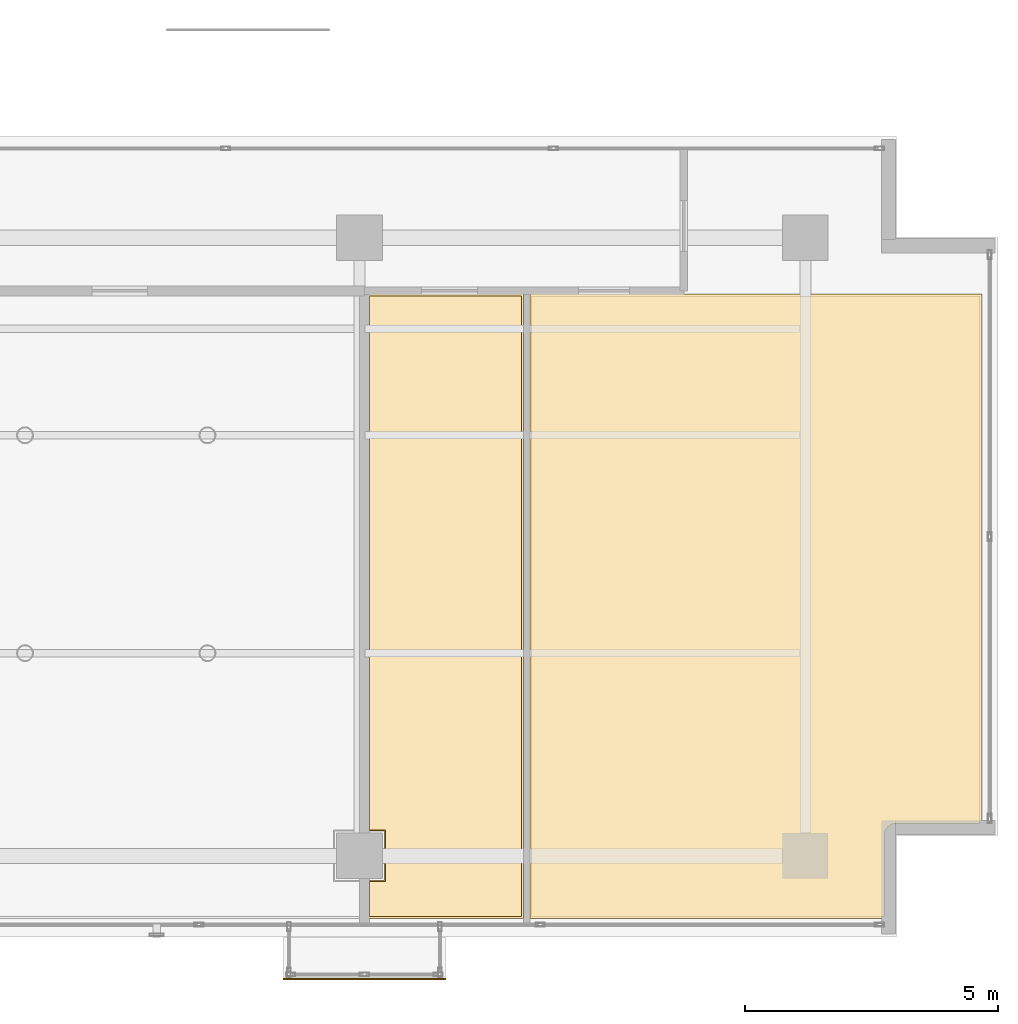
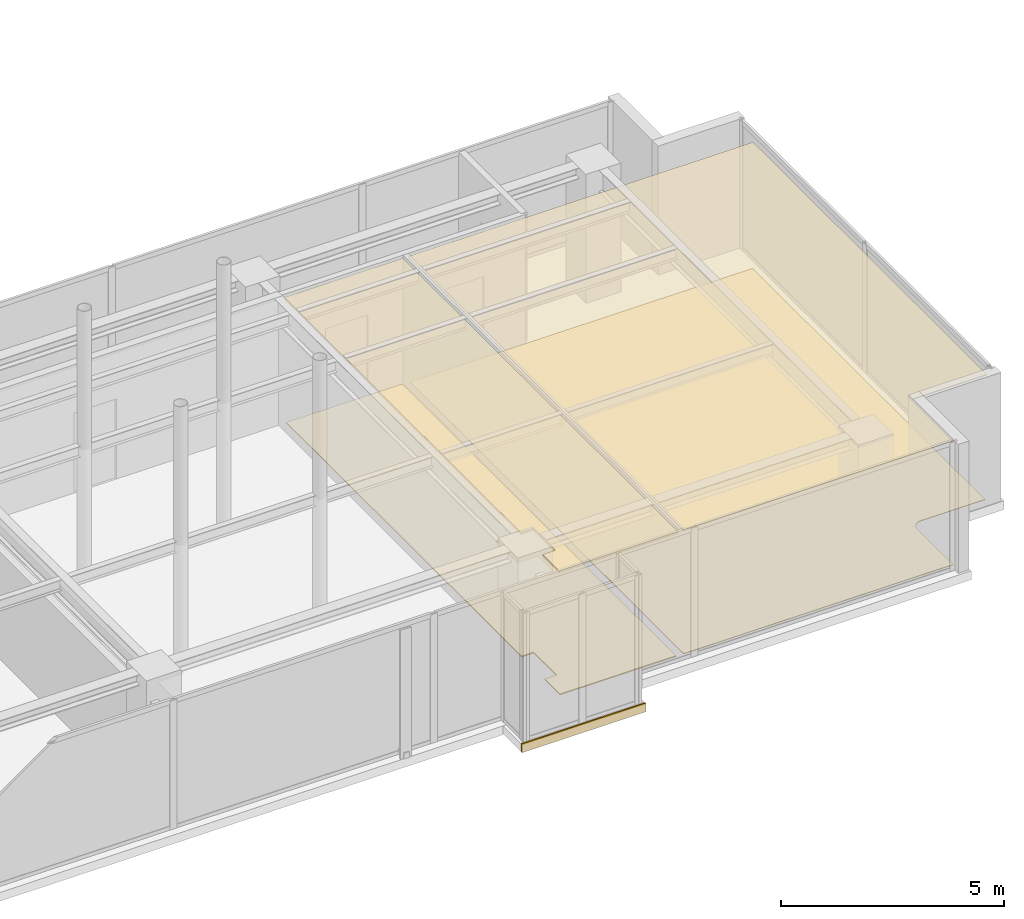
# One storey, part 31 of 32: 5 coverings.
"""IFC4 building model written with IfcOpenShell, lengths in metres."""

from ifc_helpers import new_model, si_unit, direction, frame, origin, origin_2d, place, context, subcontext, project, spatial, polyline, rectangle, outline, extrude, material, layer, layer_set, type_object, element, save


model = new_model("IFC4")

# Units and contexts
model_context = context("Model", 3, precision=1e-05, world=origin(), true_north=direction((0.0, 1.0)))
body_context = subcontext(model_context, "Body", "Model", "MODEL_VIEW")
ifc_project = project(units=[si_unit("LENGTHUNIT", "METRE"), si_unit("AREAUNIT", "SQUARE_METRE"), si_unit("VOLUMEUNIT", "CUBIC_METRE"), si_unit("PLANEANGLEUNIT", "RADIAN"), si_unit("MASSUNIT", "GRAM", prefix="KILO")], contexts=[model_context])

# Site, building, storey
site_placement = place(None, origin())
site = spatial("IfcSite", under=ifc_project, at=site_placement, CompositionType="ELEMENT")
building_placement = place(site_placement, origin())
building = spatial("IfcBuilding", under=site, at=building_placement, Name="Kolvaren Waterfront Exchange", CompositionType="ELEMENT")
storey_placement = place(building_placement, frame((0.0, 0.0, 348.10009765625)))
storey = spatial("IfcBuildingStorey", under=building, at=storey_placement, Name="L89", CompositionType="ELEMENT", Elevation=348.10009765625)

# Coverings
ifc_material_1 = material(Name="Mineral fibre acoustic ceiling tile")
ifc_layer_1 = layer(ifc_material_1, 0.02490234375, Name="Mineral fibre acoustic ceiling tile")
ifc_layer_set_1 = layer_set([ifc_layer_1], Name="Mineral fibre acoustic ceiling tile")
covering_type_1 = type_object("IfcCoveringType", Name="ARC-CEIL-ACOUSTIC-25", PredefinedType="CEILING", material=ifc_layer_set_1)
covering_1_placement = place(storey_placement, frame((0.0, 0.0, 3.40478515625)))
element("IfcCovering", 1, at=covering_1_placement, inside=storey, type_object=covering_type_1, Name="L89 acoustic suspended ceiling 3", PredefinedType="CEILING", context=body_context, shape_type="SweptSolid", body=[
    extrude(outline(polyline([(49.0849609375, 5.820068359375), (49.0849609375, 16.284912109375), (40.1650390625, 16.284912109375), (40.1650390625, 3.965087890625), (47.179931640625, 3.965087890625), (47.179931640625, 5.820068359375), (49.0849609375, 5.820068359375)])), origin(), (0.0, 0.0, 1.0), 0.025146484375),
])
ifc_material_2 = material(Name="Perforated bronze acoustic ceiling panel", Category="aluminium")
ifc_layer_2 = layer(ifc_material_2, 0.054931640625, Name="Perforated bronze acoustic ceiling panel")
ifc_layer_set_2 = layer_set([ifc_layer_2], Name="Perforated bronze acoustic ceiling panel")
covering_type_2 = type_object("IfcCoveringType", Name="ARC-CEIL-BAFFLE-55", PredefinedType="CEILING", material=ifc_layer_set_2)
covering_2_placement = place(storey_placement, frame((0.0, 0.0, 3.375)))
element("IfcCovering", 2, at=covering_2_placement, inside=storey, type_object=covering_type_2, Name="L89 acoustic suspended ceiling 2", PredefinedType="CEILING", context=body_context, shape_type="SweptSolid", body=[
    extrude(outline(polyline([(36.965087890625, 5.68994140625), (37.2900390625, 5.68994140625), (37.2900390625, 4.7099609375), (36.965087890625, 4.7099609375), (36.965087890625, 3.965087890625), (40.034912109375, 3.965087890625), (40.034912109375, 16.284912109375), (36.965087890625, 16.284912109375), (36.965087890625, 5.68994140625)])), origin(), (0.0, 0.0, 1.0), 0.054931640625),
])
ifc_material_3 = material(Name="Anodised bronze fascia aluminium", Category="aluminium")
ifc_layer_3 = layer(ifc_material_3, 0.034912109375, Name="Anodised bronze fascia aluminium")
ifc_layer_set_3 = layer_set([ifc_layer_3], Name="Anodised bronze fascia aluminium")
covering_type_3 = type_object("IfcCoveringType", Name="ARC-CLAD-BRONZE-35", PredefinedType="CLADDING", material=ifc_layer_set_3)
covering_3_placement = place(storey_placement, frame((36.89990234375, 2.77001953125, -0.22021484375), z_axis=(0.0, 0.0, 1.0), x_axis=(1.0, 0.0, 0.0)))
element("IfcCovering", 3, at=covering_3_placement, inside=storey, type_object=covering_type_3, Name="L89 ribbed anodised bronze bay-box fascia", PredefinedType="CLADDING", context=body_context, shape_type="SweptSolid", body=[
    extrude(rectangle(XDim=3.199951171875, YDim=0.034912109375, at=origin_2d()), origin(), (0.0, 0.0, 1.0), 0.239990234375),
])
ifc_material_4 = material(Name="Slip-resistant porcelain tile")
ifc_layer_4 = layer(ifc_material_4, 0.014892578125, Name="Slip-resistant porcelain tile")
ifc_layer_set_4 = layer_set([ifc_layer_4], Name="Slip-resistant porcelain tile")
covering_type_4 = type_object("IfcCoveringType", Name="ARC-FLR-PORC-15", PredefinedType="FLOORING", material=ifc_layer_set_4)
covering_4_placement = place(storey_placement, origin())
element("IfcCovering", 4, at=covering_4_placement, inside=storey, type_object=covering_type_4, Name="L89 floor finish 3", PredefinedType="FLOORING", context=body_context, shape_type="SweptSolid", body=[
    extrude(outline(polyline([(40.199951171875, 16.25), (40.199951171875, 4.0), (47.159912109375, 4.0), (47.159912109375, 5.60009765625), (47.1611328125, 5.62353515625), (47.16455078125, 5.646728515625), (47.17041015625, 5.669677734375), (47.17822265625, 5.69189453125), (47.188232421875, 5.713134765625), (47.200439453125, 5.7333984375), (47.214599609375, 5.752197265625), (47.230224609375, 5.769775390625), (47.247802734375, 5.785400390625), (47.2666015625, 5.799560546875), (47.286865234375, 5.811767578125), (47.30810546875, 5.82177734375), (47.330322265625, 5.82958984375), (47.353271484375, 5.83544921875), (47.37646484375, 5.8388671875), (47.39990234375, 5.840087890625), (49.050048828125, 5.840087890625), (49.050048828125, 16.25), (40.199951171875, 16.25)])), origin(), (0.0, 0.0, 1.0), 0.014892578125),
])
ifc_material_5 = material(Name="Polished granite terrazzo tile", Category="masonry")
ifc_layer_5 = layer(ifc_material_5, 0.030029296875, Name="Polished granite terrazzo tile")
ifc_layer_set_5 = layer_set([ifc_layer_5], Name="Polished granite terrazzo tile")
covering_type_5 = type_object("IfcCoveringType", Name="ARC-FLR-TERRAZZO-30", PredefinedType="FLOORING", material=ifc_layer_set_5)
covering_5_placement = place(storey_placement, origin())
element("IfcCovering", 5, at=covering_5_placement, inside=storey, type_object=covering_type_5, Name="L89 floor finish 2", PredefinedType="FLOORING", context=body_context, shape_type="SweptSolid", body=[
    extrude(outline(polyline([(37.0, 4.68994140625), (37.0, 4.0), (40.0, 4.0), (40.0, 16.25), (37.0, 16.25), (37.0, 5.7099609375), (37.31005859375, 5.7099609375), (37.31005859375, 4.68994140625), (37.0, 4.68994140625)])), origin(), (0.0, 0.0, 1.0), 0.02978515625),
])

save(model, "model.ifc")
